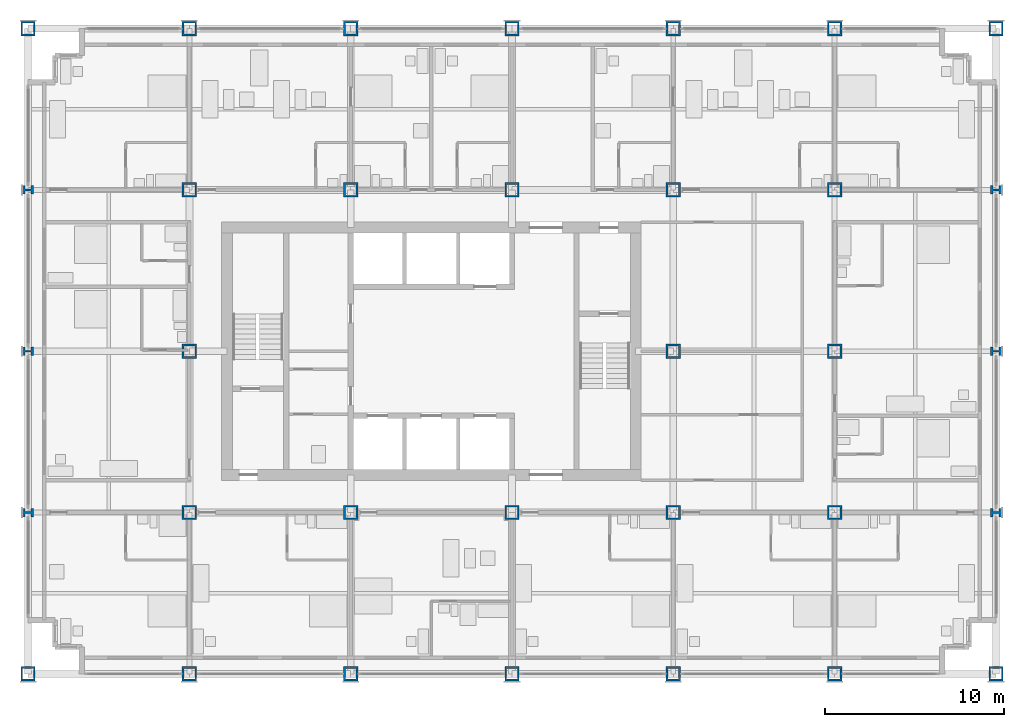
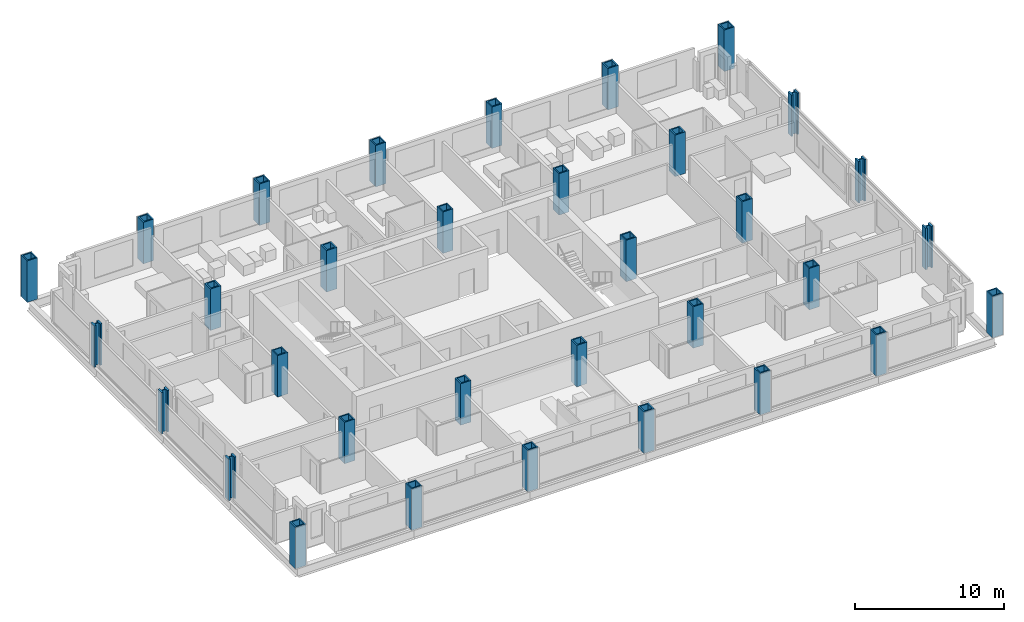
# One storey, part 1 of 18: 33 columns.
"""IFC4 building model written with IfcOpenShell, lengths in metres."""

from ifc_helpers import new_model, si_unit, direction, frame, origin, origin_2d, place, context, subcontext, project, spatial, hollow_rectangle, i_section, extrude, material, material_profile, profile_set, type_object, element, save


model = new_model("IFC4")

# Units and contexts
model_context = context("Model", 3, precision=1e-05, world=origin(), true_north=direction((0.0, 1.0)))
body_context = subcontext(model_context, "Body", "Model", "MODEL_VIEW")
ifc_project = project(units=[si_unit("LENGTHUNIT", "METRE"), si_unit("AREAUNIT", "SQUARE_METRE"), si_unit("VOLUMEUNIT", "CUBIC_METRE"), si_unit("PLANEANGLEUNIT", "RADIAN"), si_unit("MASSUNIT", "GRAM", prefix="KILO")], contexts=[model_context])

# Site, building, storey
site_placement = place(None, origin())
site = spatial("IfcSite", under=ifc_project, at=site_placement, CompositionType="ELEMENT")
building_placement = place(site_placement, origin())
building = spatial("IfcBuilding", under=site, at=building_placement, Name="Loomwork Tower", CompositionType="ELEMENT")
storey_placement = place(building_placement, frame((0.0, 0.0, 48.39990234375)))
storey = spatial("IfcBuildingStorey", under=building, at=storey_placement, Name="L11", CompositionType="ELEMENT", Elevation=48.39990234375)

# Columns
ifc_material_1 = material(Name="Steel ASTM A572 Grade 50 plate", Category="steel")
ifc_material_profile_1 = material_profile(ifc_material_1, hollow_rectangle(XDim=0.800048828125, YDim=0.800048828125, WallThickness=0.10009765625, at=origin_2d()), Name="BOX800x100")
ifc_profile_set_1 = profile_set([ifc_material_profile_1], Name="Steel ASTM A572 Grade 50 plate")
column_type_1 = type_object("IfcColumnType", Name="EXOSKELETON PIER BOX800x100", PredefinedType="COLUMN", material=ifc_profile_set_1)
for number, where, z_axis, x_axis, name in (
    (1, (0.0, 0.0, 0.0), (0.0, 0.0, 1.0), (1.0, 0.0, 0.0), "Exoskeleton Pier D/2 L11"),
    (2, (0.0, 36.0, 0.0), (0.0, 0.0, 1.0), (1.0, 0.0, 0.0), "Exoskeleton Pier H/2 L11"),
    (3, (9.0, 0.0, 0.0), (0.0, 0.0, 1.0), (1.0, 0.0, 0.0), "Exoskeleton Pier D/3 L11"),
    (4, (9.0, 36.0, 0.0), (0.0, 0.0, 1.0), (1.0, 0.0, 0.0), "Exoskeleton Pier H/3 L11"),
    (5, (18.0, 0.0, 0.0), (0.0, 0.0, 1.0), (1.0, 0.0, 0.0), "Exoskeleton Pier D/4 L11"),
    (6, (18.0, 36.0, 0.0), (0.0, 0.0, 1.0), (1.0, 0.0, 0.0), "Exoskeleton Pier H/4 L11"),
    (7, (27.0, 0.0, 0.0), (0.0, 0.0, 1.0), (1.0, 0.0, 0.0), "Exoskeleton Pier D/5 L11"),
    (8, (27.0, 36.0, 0.0), (0.0, 0.0, 1.0), (1.0, 0.0, 0.0), "Exoskeleton Pier H/5 L11"),
    (9, (36.0, 0.0, 0.0), (0.0, 0.0, 1.0), (1.0, 0.0, 0.0), "Exoskeleton Pier D/6 L11"),
    (10, (36.0, 36.0, 0.0), (0.0, 0.0, 1.0), (1.0, 0.0, 0.0), "Exoskeleton Pier H/6 L11"),
    (11, (45.0, 0.0, 0.0), (0.0, 0.0, 1.0), (1.0, 0.0, 0.0), "Exoskeleton Pier D/7 L11"),
    (12, (45.0, 36.0, 0.0), (0.0, 0.0, 1.0), (1.0, 0.0, 0.0), "Exoskeleton Pier H/7 L11"),
    (13, (54.0, 0.0, 0.0), (0.0, 0.0, 1.0), (1.0, 0.0, 0.0), "Exoskeleton Pier D/8 L11"),
    (14, (54.0, 36.0, 0.0), (0.0, 0.0, 1.0), (1.0, 0.0, 0.0), "Exoskeleton Pier H/8 L11"),
):
    element("IfcColumn", number, at=place(storey_placement, frame(where, z_axis=z_axis, x_axis=x_axis)), inside=storey, type_object=column_type_1, Name=name, PredefinedType="COLUMN", context=body_context, shape_type="SweptSolid", body=[
        extrude(hollow_rectangle(XDim=0.800048828125, YDim=0.800048828125, WallThickness=0.10009765625, at=origin_2d()), origin(), (0.0, 0.0, 1.0), 3.400146484375),
    ])
ifc_material_2 = material(Name="Steel ASTM A992", Category="steel")
ifc_material_profile_2 = material_profile(ifc_material_2, i_section(OverallWidth=0.4775390625, OverallDepth=0.599365234375, WebThickness=0.10009765625, FlangeThickness=0.139892578125, at=origin_2d()), Name="W14x873")
ifc_profile_set_2 = profile_set([ifc_material_profile_2], Name="Steel ASTM A992")
column_type_2 = type_object("IfcColumnType", Name="EXOSKELETON PIER W14x873", PredefinedType="COLUMN", material=ifc_profile_set_2)
for number, where, z_axis, x_axis, name in (
    (15, (0.0, 9.0, 0.0), (0.0, 0.0, 1.0), (0.0, 1.0, 0.0), "Exoskeleton Pier E/2 L11"),
    (16, (0.0, 18.0, 0.0), (0.0, 0.0, 1.0), (0.0, 1.0, 0.0), "Exoskeleton Pier F/2 L11"),
    (17, (0.0, 27.0, 0.0), (0.0, 0.0, 1.0), (0.0, 1.0, 0.0), "Exoskeleton Pier G/2 L11"),
    (18, (54.0, 9.0, 0.0), (0.0, 0.0, 1.0), (0.0, 1.0, 0.0), "Exoskeleton Pier E/8 L11"),
    (19, (54.0, 18.0, 0.0), (0.0, 0.0, 1.0), (0.0, 1.0, 0.0), "Exoskeleton Pier F/8 L11"),
    (20, (54.0, 27.0, 0.0), (0.0, 0.0, 1.0), (0.0, 1.0, 0.0), "Exoskeleton Pier G/8 L11"),
):
    element("IfcColumn", number, at=place(storey_placement, frame(where, z_axis=z_axis, x_axis=x_axis)), inside=storey, type_object=column_type_2, Name=name, PredefinedType="COLUMN", context=body_context, shape_type="SweptSolid", body=[
        extrude(i_section(OverallWidth=0.4775390625, OverallDepth=0.599365234375, WebThickness=0.10009765625, FlangeThickness=0.139892578125, at=origin_2d()), origin(), (0.0, 0.0, 1.0), 3.400146484375),
    ])
ifc_material_3 = material(Name="Steel ASTM A572 Grade 50 plate", Category="steel")
ifc_material_profile_3 = material_profile(ifc_material_3, hollow_rectangle(XDim=0.800048828125, YDim=0.800048828125, WallThickness=0.10009765625, at=origin_2d()), Name="BOX800x100")
ifc_profile_set_3 = profile_set([ifc_material_profile_3], Name="Steel ASTM A572 Grade 50 plate")
column_type_3 = type_object("IfcColumnType", Name="TOWER COLUMN BOX800x100", PredefinedType="COLUMN", material=ifc_profile_set_3)
for number, where, z_axis, x_axis, name in (
    (21, (9.0, 9.0, 0.0), (0.0, 0.0, 1.0), (1.0, 0.0, 0.0), "Tower Column E/3 L11"),
    (22, (9.0, 18.0, 0.0), (0.0, 0.0, 1.0), (1.0, 0.0, 0.0), "Tower Column F/3 L11"),
    (23, (9.0, 27.0, 0.0), (0.0, 0.0, 1.0), (1.0, 0.0, 0.0), "Tower Column G/3 L11"),
    (24, (18.0, 9.0, 0.0), (0.0, 0.0, 1.0), (1.0, 0.0, 0.0), "Tower Column E/4 L11"),
    (25, (18.0, 27.0, 0.0), (0.0, 0.0, 1.0), (1.0, 0.0, 0.0), "Tower Column G/4 L11"),
    (26, (27.0, 9.0, 0.0), (0.0, 0.0, 1.0), (1.0, 0.0, 0.0), "Tower Column E/5 L11"),
    (27, (27.0, 27.0, 0.0), (0.0, 0.0, 1.0), (1.0, 0.0, 0.0), "Tower Column G/5 L11"),
    (28, (36.0, 9.0, 0.0), (0.0, 0.0, 1.0), (0.0, 1.0, 0.0), "Tower Column E/6 L11"),
    (29, (36.0, 18.0, 0.0), (0.0, 0.0, 1.0), (0.0, 1.0, 0.0), "Tower Column F/6 L11"),
    (30, (36.0, 27.0, 0.0), (0.0, 0.0, 1.0), (1.0, 0.0, 0.0), "Tower Column G/6 L11"),
    (31, (45.0, 9.0, 0.0), (0.0, 0.0, 1.0), (0.0, 1.0, 0.0), "Tower Column E/7 L11"),
    (32, (45.0, 18.0, 0.0), (0.0, 0.0, 1.0), (0.0, 1.0, 0.0), "Tower Column F/7 L11"),
    (33, (45.0, 27.0, 0.0), (0.0, 0.0, 1.0), (0.0, 1.0, 0.0), "Tower Column G/7 L11"),
):
    element("IfcColumn", number, at=place(storey_placement, frame(where, z_axis=z_axis, x_axis=x_axis)), inside=storey, type_object=column_type_3, Name=name, PredefinedType="COLUMN", context=body_context, shape_type="SweptSolid", body=[
        extrude(hollow_rectangle(XDim=0.800048828125, YDim=0.800048828125, WallThickness=0.10009765625, at=origin_2d()), origin(), (0.0, 0.0, 1.0), 3.400146484375),
    ])

save(model, "model.ifc")
